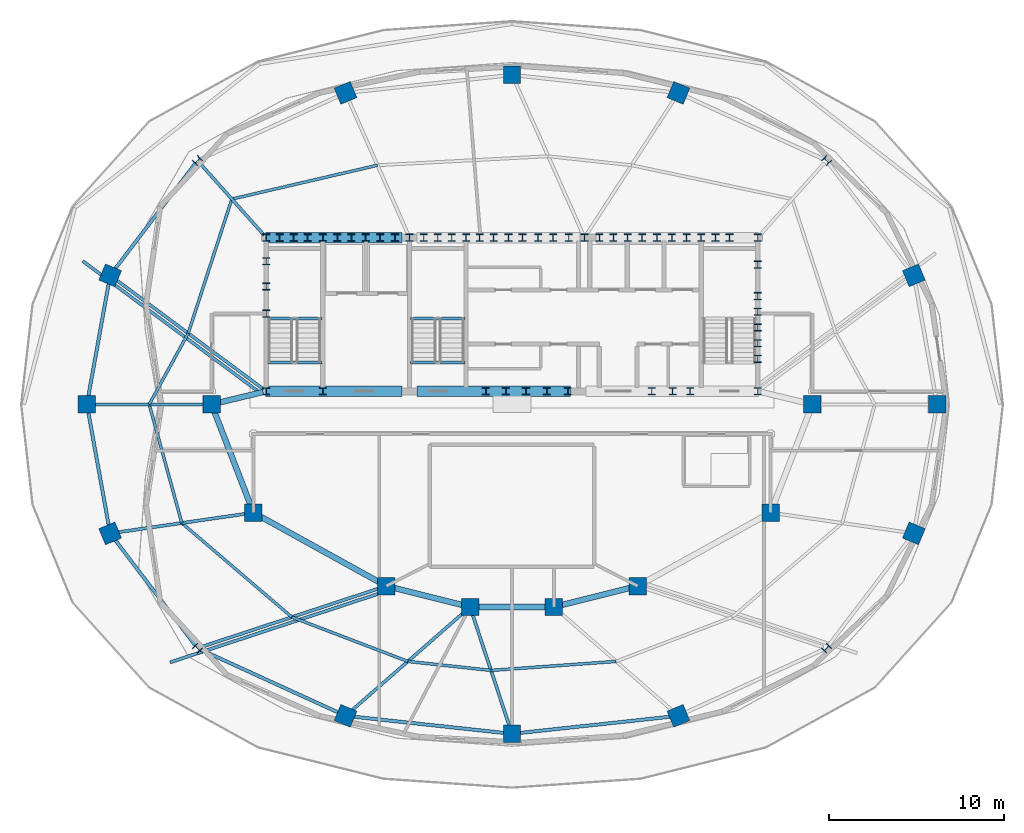
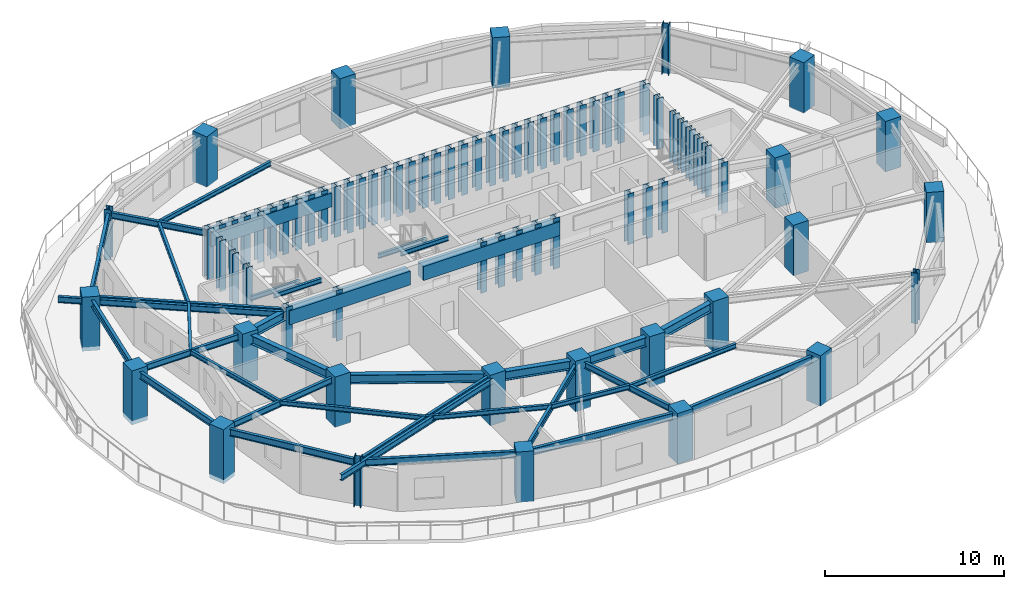
# One storey, part 1 of 10: 78 columns, 37 beams.
"""IFC4 building model written with IfcOpenShell, lengths in metres."""

import ifcopenshell
import ifcopenshell.guid

model = None  # the IFC model being written
_history = None  # IfcOwnerHistory: only IFC2X3 demands one
_inside = {}  # id of a spatial element -> (the spatial element, [elements in it])
_under = {}  # id of a project, library or spatial element -> (it, [spatial elements below it])
_declared = {}  # id of a project -> (the project, [libraries it declares])
_typed = {}  # id of a type object -> (the type object, [elements of that type])
_made_of = {}  # id of a material, layer set ... -> (it, [elements and type objects made of it])


def new_model(schema):
    """Start an empty IFC model of exactly this schema.

    Asked for "IFC4X3", IfcOpenShell would pick the latest addendum, in which some entities
    have other attributes; the version numbers below select the first issue.
    IFC2X3 requires an IfcOwnerHistory on every rooted entity: one is made here for all.
    """
    global model, _history
    if schema == "IFC4X3":
        model = ifcopenshell.file(schema_version=(4, 3, 0, 0))
    else:
        model = ifcopenshell.file(schema=schema)
    _inside.clear()
    _under.clear()
    _declared.clear()
    _typed.clear()
    _made_of.clear()
    _history = None
    if model.schema == "IFC2X3":
        org = make("IfcOrganization", Name="unknown")
        user = make(
            "IfcPersonAndOrganization",
            ThePerson=make("IfcPerson", FamilyName="unknown"),
            TheOrganization=org,
        )
        app = make(
            "IfcApplication",
            ApplicationDeveloper=org,
            Version="unknown",
            ApplicationFullName="unknown",
            ApplicationIdentifier="unknown",
        )
        _history = make(
            "IfcOwnerHistory",
            OwningUser=user,
            OwningApplication=app,
            ChangeAction="ADDED",
            CreationDate=0,
        )
    return model


def make(cls, **values):
    """One entity of the class cls with the attributes given. An attribute that is None is left unset."""
    return model.create_entity(
        cls, **{name: value for name, value in values.items() if value is not None}
    )


def rooted(cls, **values):
    """An entity with a GlobalId (a new one), such as an element, a storey or a relation."""
    return make(cls, GlobalId=ifcopenshell.guid.new(), OwnerHistory=_history, **values)


def si_unit(unit_type, name, prefix=None):
    """IfcSIUnit, for example si_unit("LENGTHUNIT", "METRE", prefix="MILLI")."""
    return make("IfcSIUnit", UnitType=unit_type, Prefix=prefix, Name=name)


def assignment(units):
    """IfcUnitAssignment: the units of a project."""
    return None if units is None else make("IfcUnitAssignment", Units=units)


def point(xyz):
    """IfcCartesianPoint."""
    return None if xyz is None else make("IfcCartesianPoint", Coordinates=xyz)


def direction(xyz):
    """IfcDirection."""
    return None if xyz is None else make("IfcDirection", DirectionRatios=xyz)


def frame(location, z_axis=None, x_axis=None):
    """IfcAxis2Placement3D, a coordinate frame: its origin and axes. An axis left out is left unset."""
    return make(
        "IfcAxis2Placement3D",
        Location=point(location),
        Axis=direction(z_axis),
        RefDirection=direction(x_axis),
    )


def frame_2d(location, x_axis=None):
    """IfcAxis2Placement2D, a coordinate frame in the plane: its origin and x axis."""
    return make(
        "IfcAxis2Placement2D", Location=point(location), RefDirection=direction(x_axis)
    )


def origin():
    """The frame at (0, 0, 0) with its axes left unset."""
    return frame((0.0, 0.0, 0.0))


def origin_2d():
    """The frame at (0, 0) in the plane with its x axis left unset."""
    return frame_2d((0.0, 0.0))


def place(relative_to, where):
    """IfcLocalPlacement: puts the frame where relative to a parent placement (None: the world)."""
    return make(
        "IfcLocalPlacement", PlacementRelTo=relative_to, RelativePlacement=where
    )


def context(
    kind, dimensions, precision=None, world=None, true_north=None, identifier=None
):
    """IfcGeometricRepresentationContext, for example the 3D "Model" context."""
    return make(
        "IfcGeometricRepresentationContext",
        ContextIdentifier=identifier,
        ContextType=kind,
        CoordinateSpaceDimension=dimensions,
        Precision=precision,
        WorldCoordinateSystem=world,
        TrueNorth=true_north,
    )


def subcontext(parent, identifier, kind, view, scale=None):
    """IfcGeometricRepresentationSubContext, for example "Body" below "Model"."""
    return make(
        "IfcGeometricRepresentationSubContext",
        ContextIdentifier=identifier,
        ContextType=kind,
        ParentContext=parent,
        TargetScale=scale,
        TargetView=view,
    )


def project(units=None, contexts=None):
    """IfcProject with its units and contexts."""
    return rooted(
        "IfcProject",
        Name="project",
        RepresentationContexts=contexts,
        UnitsInContext=assignment(units),
    )


def spatial(cls, under=None, at=None, **own):
    """A site, building, storey or space (cls), placed at a placement, below another one or the project."""
    s = rooted(cls, ObjectPlacement=at, **own)
    if under is not None:
        _under.setdefault(under.id(), (under, []))[1].append(s)
    return s


def profile(cls, at=None, kind="AREA", **sizes):
    """A parametric profile (cls). Its sizes go by their IFC names, for example OverallWidth=200.0."""
    return make(cls, ProfileType=kind, Position=at, **sizes)


def rectangle(**sizes):
    """IfcRectangleProfileDef."""
    return profile("IfcRectangleProfileDef", **sizes)


def i_section(**sizes):
    """IfcIShapeProfileDef."""
    return profile("IfcIShapeProfileDef", **sizes)


def extrude(swept, where, along, depth):
    """IfcExtrudedAreaSolid: the profile swept, set in the frame where, extruded along a direction by depth."""
    return make(
        "IfcExtrudedAreaSolid",
        SweptArea=swept,
        Position=where,
        ExtrudedDirection=direction(along),
        Depth=depth,
    )


def shape(context_of_items, identifier, shape_type, items):
    """IfcShapeRepresentation: the items that make up one representation, for example the "Body"."""
    return make(
        "IfcShapeRepresentation",
        ContextOfItems=context_of_items,
        RepresentationIdentifier=identifier,
        RepresentationType=shape_type,
        Items=items,
    )


def material(Name=None, Category=None):
    """IfcMaterial."""
    return make("IfcMaterial", Name=Name, Category=Category)


def material_profile(
    of_material, cross_section, Name=None, Category=None, Priority=None
):
    """IfcMaterialProfile: a cross section and its material."""
    return make(
        "IfcMaterialProfile",
        Name=Name,
        Material=of_material,
        Profile=cross_section,
        Priority=Priority,
        Category=Category,
    )


def profile_set(profiles, Name=None, composite=None):
    """IfcMaterialProfileSet."""
    return make(
        "IfcMaterialProfileSet",
        Name=Name,
        MaterialProfiles=profiles,
        CompositeProfile=composite,
    )


def made_of(thing, what):
    """Note that an element or type object is made of a material, layer set ...; save() writes the relation."""
    if what is not None:
        _made_of.setdefault(what.id(), (what, []))[1].append(thing)
    return thing


def type_object(cls, material=None, **own):
    """A type object (cls), such as IfcWallType, which elements share."""
    return made_of(rooted(cls, **own), material)


def element(
    cls,
    number,
    at=None,
    inside=None,
    cuts=None,
    type_object=None,
    material=None,
    context=None,
    identifier="Body",
    shape_type=None,
    held_by="IfcProductDefinitionShape",
    body=None,
    shapes=None,
    **own,
):
    """One element of the class cls, such as IfcWall. Its Tag is "e" and its number.

    at: its placement. inside: the storey or other place that contains it. cuts: it is an
    opening in that element (IfcRelVoidsElement). A single representation is given by context,
    identifier, shape_type and body (its items); several are given by shapes. held_by: the class
    of the entity that holds the representations. save() writes the other relations.
    """
    e = rooted(cls, Tag="e%d" % number, ObjectPlacement=at, **own)
    if body is not None:
        shapes = [shape(context, identifier, shape_type, body)]
    if shapes is not None:
        e.Representation = make(held_by, Representations=shapes)
    if inside is not None:
        _inside.setdefault(inside.id(), (inside, []))[1].append(e)
    if cuts is not None:
        rooted(
            "IfcRelVoidsElement", RelatingBuildingElement=cuts, RelatedOpeningElement=e
        )
    if type_object is not None:
        _typed.setdefault(type_object.id(), (type_object, []))[1].append(e)
    return made_of(e, material)


def aggregate(whole, parts):
    """IfcRelAggregates: a whole, such as a stair, and the parts it consists of."""
    return rooted("IfcRelAggregates", RelatingObject=whole, RelatedObjects=parts)


def save(model, path):
    """Write the relations noted so far, then the file.

    IfcRelAggregates (storeys below a building ...), IfcRelContainedInSpatialStructure (elements
    in a storey), IfcRelDefinesByType, IfcRelAssociatesMaterial and IfcRelDeclares: one each for
    every whole, place, type object, material and project.
    """
    for whole, parts in _under.values():
        aggregate(whole, parts)
    for where, things in _inside.values():
        rooted(
            "IfcRelContainedInSpatialStructure",
            RelatedElements=things,
            RelatingStructure=where,
        )
    for kind, things in _typed.values():
        rooted("IfcRelDefinesByType", RelatedObjects=things, RelatingType=kind)
    for what, things in _made_of.values():
        rooted("IfcRelAssociatesMaterial", RelatedObjects=things, RelatingMaterial=what)
    for by, libraries in _declared.values():
        rooted("IfcRelDeclares", RelatingContext=by, RelatedDefinitions=libraries)
    model.write(path)


model = new_model("IFC4")

# Units and contexts
model_context = context("Model", 3, precision=1e-05, world=origin(), true_north=direction((0.0, 1.0)))
body_context = subcontext(model_context, "Body", "Model", "MODEL_VIEW")
ifc_project = project(units=[si_unit("LENGTHUNIT", "METRE"), si_unit("AREAUNIT", "SQUARE_METRE"), si_unit("VOLUMEUNIT", "CUBIC_METRE"), si_unit("PLANEANGLEUNIT", "RADIAN"), si_unit("MASSUNIT", "GRAM", prefix="KILO")], contexts=[model_context])

# Site, building, storey
site_placement = place(None, origin())
site = spatial("IfcSite", under=ifc_project, at=site_placement, CompositionType="ELEMENT")
building_placement = place(site_placement, origin())
building = spatial("IfcBuilding", under=site, at=building_placement, Name="Haldorwick Loom Tower", CompositionType="ELEMENT")
storey_placement = place(building_placement, frame((0.0, 0.0, 240.89990234375)))
storey = spatial("IfcBuildingStorey", under=building, at=storey_placement, Name="L65", CompositionType="ELEMENT", Elevation=240.89990234375)

# Columns
ifc_material_1 = material(Name="Concrete C60 (60 MPa)", Category="concrete")
ifc_material_profile_1 = material_profile(ifc_material_1, rectangle(XDim=1.0, YDim=1.0, at=origin_2d()), Name="RC1000X1000", Category="concrete")
ifc_profile_set_1 = profile_set([ifc_material_profile_1], Name="Concrete C60 (60 MPa)")
column_type_1 = type_object("IfcColumnType", Name="STR-COL-RC1000", PredefinedType="COLUMN", material=ifc_profile_set_1)
for number, where, z_axis, x_axis, name in (
    (1, (53.199951171875, 26.0, 0.0), (0.0, 0.0, 1.0), (1.0, 0.0, 0.0), "L65 Inner Column IC-01"),
    (2, (50.800048828125, 19.800048828125, 0.0), (0.0, 0.0, 1.0), (1.0, 0.0, 0.0), "L65 Inner Column IC-02"),
    (3, (43.199951171875, 15.60009765625, 0.0), (0.0, 0.0, 1.0), (1.0, 0.0, 0.0), "L65 Inner Column IC-03"),
    (4, (38.39990234375, 14.39990234375, 0.0), (0.0, 0.0, 1.0), (1.0, 0.0, 0.0), "L65 Inner Column IC-04"),
    (5, (33.60009765625, 14.39990234375, 0.0), (0.0, 0.0, 1.0), (1.0, 0.0, 0.0), "L65 Inner Column IC-05"),
    (6, (28.800048828125, 15.60009765625, 0.0), (0.0, 0.0, 1.0), (1.0, 0.0, 0.0), "L65 Inner Column IC-06"),
    (7, (21.199951171875, 19.800048828125, 0.0), (0.0, 0.0, 1.0), (1.0, 0.0, 0.0), "L65 Inner Column IC-07"),
    (8, (18.800048828125, 26.0, 0.0), (0.0, 0.0, 1.0), (1.0, 0.0, 0.0), "L65 Inner Column IC-08"),
    (9, (60.3369140625, 26.0, 0.0), (0.0, 0.0, 1.0), (1.0, 0.0, 0.0), "L65 Perimeter Pier Column P01"),
    (10, (59.004638671875, 33.3857421875, 0.0), (0.0, 0.0, 1.0), (0.923879532511, 0.382683432365, 0.0), "L65 Perimeter Pier Column P02"),
    (11, (45.52880859375, 43.830810546875, 0.0), (0.0, 0.0, 1.0), (0.382683432365, 0.923879532511, 0.0), "L65 Perimeter Pier Column P04"),
    (12, (36.0, 44.860107421875, 0.0), (0.0, 0.0, 1.0), (0.0, 1.0, 0.0), "L65 Perimeter Pier Column P05"),
    (13, (26.47119140625, 43.830810546875, 0.0), (0.0, 0.0, 1.0), (-0.382683432365, 0.923879532511, 0.0), "L65 Perimeter Pier Column P06"),
):
    element("IfcColumn", number, at=place(storey_placement, frame(where, z_axis=z_axis, x_axis=x_axis)), inside=storey, type_object=column_type_1, Name=name, PredefinedType="COLUMN", context=body_context, shape_type="SweptSolid", body=[
        extrude(rectangle(XDim=1.0, YDim=1.0, at=origin_2d()), origin(), (0.0, 0.0, 1.0), 3.4501953125),
    ])
for number, where, z_axis, x_axis, name in (
    (14, (12.995361328125, 33.3857421875, -0.239990234375), (0.0, 0.0, 1.0), (-0.923879532511, 0.382683432365, 0.0), "L65 Perimeter Pier Column P08"),
    (15, (11.6630859375, 26.0, -0.239990234375), (0.0, 0.0, 1.0), (-1.0, 0.0, 0.0), "L65 Perimeter Pier Column P09"),
    (16, (12.995361328125, 18.6142578125, -0.239990234375), (0.0, 0.0, 1.0), (-0.923879532511, -0.382683432365, 0.0), "L65 Perimeter Pier Column P10"),
):
    element("IfcColumn", number, at=place(storey_placement, frame(where, z_axis=z_axis, x_axis=x_axis)), inside=storey, type_object=column_type_1, Name=name, PredefinedType="COLUMN", context=body_context, shape_type="SweptSolid", body=[
        extrude(rectangle(XDim=1.0, YDim=1.0, at=origin_2d()), origin(), (0.0, 0.0, 1.0), 3.690185546875),
    ])
for number, where, z_axis, x_axis, name in (
    (17, (26.47119140625, 8.169189453125, 0.0), (0.0, 0.0, 1.0), (-0.382683432365, -0.923879532511, 0.0), "L65 Perimeter Pier Column P12"),
    (18, (36.0, 7.139892578125, 0.0), (0.0, 0.0, 1.0), (0.0, -1.0, 0.0), "L65 Perimeter Pier Column P13"),
    (19, (45.52880859375, 8.169189453125, 0.0), (0.0, 0.0, 1.0), (0.382683432365, -0.923879532511, 0.0), "L65 Perimeter Pier Column P14"),
    (20, (59.004638671875, 18.6142578125, 0.0), (0.0, 0.0, 1.0), (0.923879532511, -0.382683432365, 0.0), "L65 Perimeter Pier Column P16"),
):
    element("IfcColumn", number, at=place(storey_placement, frame(where, z_axis=z_axis, x_axis=x_axis)), inside=storey, type_object=column_type_1, Name=name, PredefinedType="COLUMN", context=body_context, shape_type="SweptSolid", body=[
        extrude(rectangle(XDim=1.0, YDim=1.0, at=origin_2d()), origin(), (0.0, 0.0, 1.0), 3.4501953125),
    ])
ifc_material_2 = material(Name="Steel CSA G40.21 350W", Category="steel")
ifc_material_profile_2 = material_profile(ifc_material_2, i_section(OverallWidth=0.406005859375, OverallDepth=0.416015625, WebThickness=0.024169921875, FlangeThickness=0.03857421875, at=origin_2d()), Name="W360X382", Category="steel")
ifc_profile_set_2 = profile_set([ifc_material_profile_2], Name="Steel CSA G40.21 350W")
column_type_2 = type_object("IfcColumnType", Name="STR-COL-W360X382", PredefinedType="COLUMN", material=ifc_profile_set_2)
for number, where, z_axis, x_axis, name in (
    (21, (21.929931640625, 35.550048828125, 0.0), (0.0, 0.0, 1.0), (1.0, 0.0, 0.0), "L65 Core Pilaster CB-01"),
    (22, (23.5, 35.550048828125, 0.0), (0.0, 0.0, 1.0), (1.0, 0.0, 0.0), "L65 Core Pilaster CB-02"),
    (23, (25.169921875, 35.550048828125, 0.0), (0.0, 0.0, 1.0), (1.0, 0.0, 0.0), "L65 Core Pilaster CB-03"),
    (24, (26.800048828125, 35.550048828125, 0.0), (0.0, 0.0, 1.0), (1.0, 0.0, 0.0), "L65 Core Pilaster CB-04"),
    (25, (28.449951171875, 35.550048828125, 0.0), (0.0, 0.0, 1.0), (1.0, 0.0, 0.0), "L65 Core Pilaster CB-05"),
    (26, (30.1298828125, 35.550048828125, 0.0), (0.0, 0.0, 1.0), (1.0, 0.0, 0.0), "L65 Core Pilaster CB-06"),
    (27, (31.75, 35.550048828125, 0.0), (0.0, 0.0, 1.0), (1.0, 0.0, 0.0), "L65 Core Pilaster CB-07"),
    (28, (33.3701171875, 35.550048828125, 0.0), (0.0, 0.0, 1.0), (1.0, 0.0, 0.0), "L65 Core Pilaster CB-08"),
    (29, (34.949951171875, 35.550048828125, 0.0), (0.0, 0.0, 1.0), (1.0, 0.0, 0.0), "L65 Core Pilaster CB-09"),
    (30, (36.60009765625, 35.550048828125, 0.0), (0.0, 0.0, 1.0), (1.0, 0.0, 0.0), "L65 Core Pilaster CB-10"),
    (31, (38.35009765625, 35.550048828125, 0.0), (0.0, 0.0, 1.0), (1.0, 0.0, 0.0), "L65 Core Pilaster CB-11"),
    (32, (40.14990234375, 35.550048828125, 0.0), (0.0, 0.0, 1.0), (1.0, 0.0, 0.0), "L65 Core Pilaster CB-12"),
    (33, (41.800048828125, 35.550048828125, 0.0), (0.0, 0.0, 1.0), (1.0, 0.0, 0.0), "L65 Core Pilaster CB-13"),
    (34, (43.449951171875, 35.550048828125, 0.0), (0.0, 0.0, 1.0), (1.0, 0.0, 0.0), "L65 Core Pilaster CB-14"),
    (35, (45.14990234375, 35.550048828125, 0.0), (0.0, 0.0, 1.0), (1.0, 0.0, 0.0), "L65 Core Pilaster CB-15"),
    (36, (46.830078125, 35.550048828125, 0.0), (0.0, 0.0, 1.0), (1.0, 0.0, 0.0), "L65 Core Pilaster CB-16"),
    (37, (48.449951171875, 35.550048828125, 0.0), (0.0, 0.0, 1.0), (1.0, 0.0, 0.0), "L65 Core Pilaster CB-17"),
    (38, (50.070068359375, 35.550048828125, 0.0), (0.0, 0.0, 1.0), (1.0, 0.0, 0.0), "L65 Core Pilaster CB-18"),
    (39, (21.929931640625, 26.75, 0.0), (0.0, 0.0, 1.0), (1.0, 0.0, 0.0), "L65 Core Pilaster CB-19"),
    (40, (25.169921875, 26.75, 0.0), (0.0, 0.0, 1.0), (1.0, 0.0, 0.0), "L65 Core Pilaster CB-20"),
    (41, (34.5, 26.75, 0.0), (0.0, 0.0, 1.0), (1.0, 0.0, 0.0), "L65 Core Pilaster CB-21"),
    (42, (36.800048828125, 26.75, 0.0), (0.0, 0.0, 1.0), (1.0, 0.0, 0.0), "L65 Core Pilaster CB-22"),
    (43, (39.199951171875, 26.75, 0.0), (0.0, 0.0, 1.0), (1.0, 0.0, 0.0), "L65 Core Pilaster CB-23"),
    (44, (45.199951171875, 26.75, 0.0), (0.0, 0.0, 1.0), (1.0, 0.0, 0.0), "L65 Core Pilaster CB-24"),
    (45, (50.070068359375, 26.75, 0.0), (0.0, 0.0, 1.0), (1.0, 0.0, 0.0), "L65 Core Pilaster CB-25"),
    (46, (21.929931640625, 31.199951171875, 0.0), (0.0, 0.0, 1.0), (1.0, 0.0, 0.0), "L65 Core Pilaster CB-26"),
    (47, (21.929931640625, 32.75, 0.0), (0.0, 0.0, 1.0), (1.0, 0.0, 0.0), "L65 Core Pilaster CB-27"),
    (48, (21.929931640625, 34.199951171875, 0.0), (0.0, 0.0, 1.0), (1.0, 0.0, 0.0), "L65 Core Pilaster CB-28"),
    (49, (50.070068359375, 28.60009765625, 0.0), (0.0, 0.0, 1.0), (1.0, 0.0, 0.0), "L65 Core Pilaster CB-29"),
    (50, (50.070068359375, 30.39990234375, 0.0), (0.0, 0.0, 1.0), (1.0, 0.0, 0.0), "L65 Core Pilaster CB-30"),
    (51, (50.070068359375, 32.199951171875, 0.0), (0.0, 0.0, 1.0), (1.0, 0.0, 0.0), "L65 Core Pilaster CB-31"),
    (52, (50.070068359375, 34.0, 0.0), (0.0, 0.0, 1.0), (1.0, 0.0, 0.0), "L65 Core Pilaster CB-32"),
    (53, (22.699951171875, 35.550048828125, 0.0), (0.0, 0.0, 1.0), (1.0, 0.0, 0.0), "L65 Core Pilaster CB-33"),
    (54, (27.6201171875, 35.550048828125, 0.0), (0.0, 0.0, 1.0), (1.0, 0.0, 0.0), "L65 Core Pilaster CB-34"),
    (55, (32.550048828125, 35.550048828125, 0.0), (0.0, 0.0, 1.0), (1.0, 0.0, 0.0), "L65 Core Pilaster CB-35"),
    (56, (37.5, 35.550048828125, 0.0), (0.0, 0.0, 1.0), (1.0, 0.0, 0.0), "L65 Core Pilaster CB-36"),
    (57, (42.6201171875, 35.550048828125, 0.0), (0.0, 0.0, 1.0), (1.0, 0.0, 0.0), "L65 Core Pilaster CB-37"),
    (58, (47.64990234375, 35.550048828125, 0.0), (0.0, 0.0, 1.0), (1.0, 0.0, 0.0), "L65 Core Pilaster CB-38"),
    (59, (24.300048828125, 35.550048828125, 0.0), (0.0, 0.0, 1.0), (1.0, 0.0, 0.0), "L65 Core Pilaster CB-39"),
    (60, (26.0, 35.550048828125, 0.0), (0.0, 0.0, 1.0), (1.0, 0.0, 0.0), "L65 Core Pilaster CB-40"),
    (61, (29.300048828125, 35.550048828125, 0.0), (0.0, 0.0, 1.0), (1.0, 0.0, 0.0), "L65 Core Pilaster CB-41"),
    (62, (30.949951171875, 35.550048828125, 0.0), (0.0, 0.0, 1.0), (1.0, 0.0, 0.0), "L65 Core Pilaster CB-42"),
    (63, (34.14990234375, 35.550048828125, 0.0), (0.0, 0.0, 1.0), (1.0, 0.0, 0.0), "L65 Core Pilaster CB-43"),
    (64, (35.800048828125, 35.550048828125, 0.0), (0.0, 0.0, 1.0), (1.0, 0.0, 0.0), "L65 Core Pilaster CB-44"),
    (65, (39.25, 35.550048828125, 0.0), (0.0, 0.0, 1.0), (1.0, 0.0, 0.0), "L65 Core Pilaster CB-45"),
    (66, (41.0, 35.550048828125, 0.0), (0.0, 0.0, 1.0), (1.0, 0.0, 0.0), "L65 Core Pilaster CB-46"),
    (67, (44.300048828125, 35.550048828125, 0.0), (0.0, 0.0, 1.0), (1.0, 0.0, 0.0), "L65 Core Pilaster CB-47"),
    (68, (46.0, 35.550048828125, 0.0), (0.0, 0.0, 1.0), (1.0, 0.0, 0.0), "L65 Core Pilaster CB-48"),
    (69, (50.070068359375, 29.5, 0.0), (0.0, 0.0, 1.0), (1.0, 0.0, 0.0), "L65 Core Pilaster CB-49"),
    (70, (50.070068359375, 31.300048828125, 0.0), (0.0, 0.0, 1.0), (1.0, 0.0, 0.0), "L65 Core Pilaster CB-50"),
    (71, (35.64990234375, 26.75, 0.0), (0.0, 0.0, 1.0), (1.0, 0.0, 0.0), "L65 Core Pilaster CB-51"),
    (72, (38.0, 26.75, 0.0), (0.0, 0.0, 1.0), (1.0, 0.0, 0.0), "L65 Core Pilaster CB-52"),
    (73, (44.0, 26.75, 0.0), (0.0, 0.0, 1.0), (1.0, 0.0, 0.0), "L65 Core Pilaster CB-53"),
    (74, (46.199951171875, 26.75, 0.0), (0.0, 0.0, 1.0), (1.0, 0.0, 0.0), "L65 Core Pilaster CB-54"),
    (75, (54.005126953125, 39.958251953125, 0.0), (0.0, 0.0, 1.0), (0.707106781187, 0.707106781187, 0.0), "L65 Perimeter Pier Column P03"),
    (76, (17.994873046875, 39.958251953125, 0.0), (0.0, 0.0, 1.0), (-0.707106781187, 0.707106781187, 0.0), "L65 Perimeter Pier Column P07"),
    (77, (17.994873046875, 12.041748046875, 0.0), (0.0, 0.0, 1.0), (-0.707106781187, -0.707106781187, 0.0), "L65 Perimeter Pier Column P11"),
    (78, (54.005126953125, 12.041748046875, 0.0), (0.0, 0.0, 1.0), (0.707106781187, -0.707106781187, 0.0), "L65 Perimeter Pier Column P15"),
):
    element("IfcColumn", number, at=place(storey_placement, frame(where, z_axis=z_axis, x_axis=x_axis)), inside=storey, type_object=column_type_2, Name=name, PredefinedType="COLUMN", context=body_context, shape_type="SweptSolid", body=[
        extrude(i_section(OverallWidth=0.406005859375, OverallDepth=0.416015625, WebThickness=0.024169921875, FlangeThickness=0.03857421875, at=origin_2d()), origin(), (0.0, 0.0, 1.0), 3.4501953125),
    ])

# Beams
ifc_material_profile_3 = material_profile(ifc_material_2, i_section(OverallWidth=0.179931640625, OverallDepth=0.4130859375, WebThickness=0.009765625, FlangeThickness=0.01611328125, at=origin_2d()), Name="W410X74", Category="steel")
ifc_profile_set_3 = profile_set([ifc_material_profile_3], Name="Steel CSA G40.21 350W")
beam_type_1 = type_object("IfcBeamType", Name="STR-BM-BAL410", PredefinedType="BEAM", material=ifc_profile_set_3)
beam_1_placement = place(storey_placement, frame((28.436279296875, 15.185546875, 3.003662109375), z_axis=(-0.949817650067, -0.312804142589, 0.0), x_axis=(0.312804142589, -0.949817650067, 0.0)))
element("IfcBeam", 79, at=beam_1_placement, inside=storey, type_object=beam_type_1, Name="L65 Continuous Back-Spanned Balcony Beam 2", PredefinedType="BEAM", context=body_context, shape_type="SweptSolid", body=[
    extrude(i_section(OverallWidth=0.179931640625, OverallDepth=0.4130859375, WebThickness=0.009765625, FlangeThickness=0.01611328125, at=origin_2d()), origin(), (0.0, 0.0, 1.0), 12.65087890625),
])
beam_2_placement = place(storey_placement, frame((21.6201171875, 26.63134765625, 3.003662109375), z_axis=(-0.802802996116, 0.596244370562, 0.0), x_axis=(-0.596244370562, -0.802802996116, 0.0)))
element("IfcBeam", 80, at=beam_2_placement, inside=storey, type_object=beam_type_1, Name="L65 Continuous Back-Spanned Balcony Beam 3", PredefinedType="BEAM", context=body_context, shape_type="SweptSolid", body=[
    extrude(i_section(OverallWidth=0.179931640625, OverallDepth=0.4130859375, WebThickness=0.009765625, FlangeThickness=0.01611328125, at=origin_2d()), origin(), (0.0, 0.0, 1.0), 12.701171875),
])
ifc_material_3 = material(Name="Concrete C50 (50 MPa)", Category="concrete")
ifc_material_profile_4 = material_profile(ifc_material_3, rectangle(XDim=0.60009765625, YDim=0.949951171875, at=origin_2d()), Name="RC600X950", Category="concrete")
ifc_profile_set_4 = profile_set([ifc_material_profile_4], Name="Concrete C50 (50 MPa)")
beam_type_2 = type_object("IfcBeamType", Name="STR-BM-CB950", PredefinedType="LINTEL", material=ifc_profile_set_4)
for number, where, z_axis, x_axis, name in (
    (81, (21.89990234375, 35.550048828125, 2.735107421875), (1.0, 0.0, 0.0), (0.0, 1.0, 0.0), "L65 Core Coupling Beam CB-N1"),
    (82, (21.89990234375, 26.75, 2.735107421875), (1.0, 0.0, 0.0), (0.0, 1.0, 0.0), "L65 Core Coupling Beam CB-S1"),
):
    element("IfcBeam", number, at=place(storey_placement, frame(where, z_axis=z_axis, x_axis=x_axis)), inside=storey, type_object=beam_type_2, Name=name, PredefinedType="LINTEL", context=body_context, shape_type="SweptSolid", body=[
        extrude(rectangle(XDim=0.60009765625, YDim=0.949951171875, at=origin_2d()), origin(), (0.0, 0.0, 1.0), 7.800048828125),
    ])
beam_3_placement = place(storey_placement, frame((30.550048828125, 26.75, 2.735107421875), z_axis=(1.0, 0.0, 0.0), x_axis=(0.0, 1.0, 0.0)))
element("IfcBeam", 83, at=beam_3_placement, inside=storey, type_object=beam_type_2, Name="L65 Core Coupling Beam CB-S2", PredefinedType="LINTEL", context=body_context, shape_type="SweptSolid", body=[
    extrude(rectangle(XDim=0.60009765625, YDim=0.949951171875, at=origin_2d()), origin(), (0.0, 0.0, 1.0), 8.800048828125),
])
ifc_material_profile_5 = material_profile(ifc_material_2, i_section(OverallWidth=0.166015625, OverallDepth=0.31298828125, WebThickness=0.006591796875, FlangeThickness=0.01123046875, at=origin_2d()), Name="W310X45", Category="steel")
ifc_profile_set_5 = profile_set([ifc_material_profile_5], Name="Steel CSA G40.21 350W")
beam_type_3 = type_object("IfcBeamType", Name="STR-BM-J310", PredefinedType="JOIST", material=ifc_profile_set_5)
beam_4_placement = place(storey_placement, frame((28.300537109375, 39.6904296875, 3.0537109375), z_axis=(-0.974080706337, -0.226200746112, 0.0), x_axis=(0.226200746112, -0.974080706337, 0.0)))
element("IfcBeam", 84, at=beam_4_placement, inside=storey, type_object=beam_type_3, Name="L65 Mid-Bay Secondary Joist 6", PredefinedType="JOIST", context=body_context, shape_type="SweptSolid", body=[
    extrude(i_section(OverallWidth=0.166015625, OverallDepth=0.31298828125, WebThickness=0.006591796875, FlangeThickness=0.01123046875, at=origin_2d()), origin(), (0.0, 0.0, 1.0), 8.56005859375),
])
beam_5_placement = place(storey_placement, frame((19.96240234375, 37.754150390625, 3.0537109375), z_axis=(-0.309277990337, -0.95097167397, 0.0), x_axis=(0.95097167397, -0.309277990337, 0.0)))
element("IfcBeam", 85, at=beam_5_placement, inside=storey, type_object=beam_type_3, Name="L65 Mid-Bay Secondary Joist 7", PredefinedType="JOIST", context=body_context, shape_type="SweptSolid", body=[
    extrude(i_section(OverallWidth=0.166015625, OverallDepth=0.31298828125, WebThickness=0.006591796875, FlangeThickness=0.01123046875, at=origin_2d()), origin(), (0.0, 0.0, 1.0), 8.08251953125),
])
beam_6_placement = place(storey_placement, frame((17.462646484375, 30.06787109375, 3.0537109375), z_axis=(-0.480863931781, -0.876795232145, 0.0), x_axis=(0.876795232145, -0.480863931781, 0.0)))
element("IfcBeam", 86, at=beam_6_placement, inside=storey, type_object=beam_type_3, Name="L65 Mid-Bay Secondary Joist 8", PredefinedType="JOIST", context=body_context, shape_type="SweptSolid", body=[
    extrude(i_section(OverallWidth=0.166015625, OverallDepth=0.31298828125, WebThickness=0.006591796875, FlangeThickness=0.01123046875, at=origin_2d()), origin(), (0.0, 0.0, 1.0), 4.639404296875),
])
beam_7_placement = place(storey_placement, frame((15.231689453125, 26.0, 3.0537109375), z_axis=(0.264879381431, -0.964281552915, 0.0), x_axis=(0.964281552915, 0.264879381431, 0.0)))
element("IfcBeam", 87, at=beam_7_placement, inside=storey, type_object=beam_type_3, Name="L65 Mid-Bay Secondary Joist 9", PredefinedType="JOIST", context=body_context, shape_type="SweptSolid", body=[
    extrude(i_section(OverallWidth=0.166015625, OverallDepth=0.31298828125, WebThickness=0.006591796875, FlangeThickness=0.01123046875, at=origin_2d()), origin(), (0.0, 0.0, 1.0), 7.044677734375),
])
beam_8_placement = place(storey_placement, frame((17.09765625, 19.20703125, 3.0537109375), z_axis=(0.760066902561, -0.649844830426, 0.0), x_axis=(0.649844830426, 0.760066902561, 0.0)))
element("IfcBeam", 88, at=beam_8_placement, inside=storey, type_object=beam_type_3, Name="L65 Mid-Bay Secondary Joist 10", PredefinedType="JOIST", context=body_context, shape_type="SweptSolid", body=[
    extrude(i_section(OverallWidth=0.166015625, OverallDepth=0.31298828125, WebThickness=0.006591796875, FlangeThickness=0.01123046875, at=origin_2d()), origin(), (0.0, 0.0, 1.0), 8.28857421875),
])
beam_9_placement = place(storey_placement, frame((23.3974609375, 13.82080078125, 3.0537109375), z_axis=(0.934134056558, -0.356922350628, 0.0), x_axis=(0.356922350628, 0.934134056558, 0.0)))
element("IfcBeam", 89, at=beam_9_placement, inside=storey, type_object=beam_type_3, Name="L65 Mid-Bay Secondary Joist 11", PredefinedType="JOIST", context=body_context, shape_type="SweptSolid", body=[
    extrude(i_section(OverallWidth=0.166015625, OverallDepth=0.31298828125, WebThickness=0.006591796875, FlangeThickness=0.01123046875, at=origin_2d()), origin(), (0.0, 0.0, 1.0), 7.106201171875),
])
beam_10_placement = place(storey_placement, frame((30.03564453125, 11.284423828125, 3.0537109375), z_axis=(0.994221899005, -0.107344378232, 0.0), x_axis=(0.107344378232, 0.994221899005, 0.0)))
element("IfcBeam", 90, at=beam_10_placement, inside=storey, type_object=beam_type_3, Name="L65 Mid-Bay Secondary Joist 12", PredefinedType="JOIST", context=body_context, shape_type="SweptSolid", body=[
    extrude(i_section(OverallWidth=0.166015625, OverallDepth=0.31298828125, WebThickness=0.006591796875, FlangeThickness=0.01123046875, at=origin_2d()), origin(), (0.0, 0.0, 1.0), 4.7919921875),
])
beam_11_placement = place(storey_placement, frame((34.800048828125, 10.77001953125, 3.0537109375), z_axis=(0.997432233153, 0.071616620046, 0.0), x_axis=(-0.071616620046, 0.997432233153, 0.0)))
element("IfcBeam", 91, at=beam_11_placement, inside=storey, type_object=beam_type_3, Name="L65 Mid-Bay Secondary Joist 13", PredefinedType="JOIST", context=body_context, shape_type="SweptSolid", body=[
    extrude(i_section(OverallWidth=0.166015625, OverallDepth=0.31298828125, WebThickness=0.006591796875, FlangeThickness=0.01123046875, at=origin_2d()), origin(), (0.0, 0.0, 1.0), 7.182861328125),
])
ifc_material_profile_6 = material_profile(ifc_material_2, i_section(OverallWidth=0.179931640625, OverallDepth=0.4130859375, WebThickness=0.009765625, FlangeThickness=0.01611328125, at=origin_2d()), Name="W410X74", Category="steel")
ifc_profile_set_6 = profile_set([ifc_material_profile_6], Name="Steel CSA G40.21 350W")
beam_type_4 = type_object("IfcBeamType", Name="STR-BM-J410", PredefinedType="JOIST", material=ifc_profile_set_6)
beam_12_placement = place(storey_placement, frame((21.8115234375, 35.682861328125, 3.003662109375), z_axis=(-0.665966842703, 0.745981343212, 0.0), x_axis=(-0.745981343212, -0.665966842703, 0.0)))
element("IfcBeam", 92, at=beam_12_placement, inside=storey, type_object=beam_type_4, Name="L65 Radial Floor Girder 7", PredefinedType="JOIST", context=body_context, shape_type="SweptSolid", body=[
    extrude(i_section(OverallWidth=0.179931640625, OverallDepth=0.4130859375, WebThickness=0.009765625, FlangeThickness=0.01611328125, at=origin_2d()), origin(), (0.0, 0.0, 1.0), 5.55322265625),
])
beam_13_placement = place(storey_placement, frame((21.787109375, 26.856201171875, 3.003662109375), z_axis=(-0.802807271117, 0.596238614518, 0.0), x_axis=(-0.596238614518, -0.802807271117, 0.0)))
element("IfcBeam", 93, at=beam_13_placement, inside=storey, type_object=beam_type_4, Name="L65 Radial Floor Girder 8", PredefinedType="JOIST", context=body_context, shape_type="SweptSolid", body=[
    extrude(i_section(OverallWidth=0.179931640625, OverallDepth=0.4130859375, WebThickness=0.009765625, FlangeThickness=0.01611328125, at=origin_2d()), origin(), (0.0, 0.0, 1.0), 10.476318359375),
])
beam_14_placement = place(storey_placement, frame((18.324951171875, 26.0, 3.003662109375), z_axis=(-1.0, 0.0, 0.0), x_axis=(0.0, -1.0, 0.0)))
element("IfcBeam", 94, at=beam_14_placement, inside=storey, type_object=beam_type_4, Name="L65 Radial Floor Girder 9", PredefinedType="JOIST", context=body_context, shape_type="SweptSolid", body=[
    extrude(i_section(OverallWidth=0.179931640625, OverallDepth=0.4130859375, WebThickness=0.009765625, FlangeThickness=0.01611328125, at=origin_2d()), origin(), (0.0, 0.0, 1.0), 6.186767578125),
])
beam_15_placement = place(storey_placement, frame((20.72998046875, 19.732177734375, 3.003662109375), z_axis=(-0.989713971376, -0.143060318968, 0.0), x_axis=(0.143060318968, -0.989713971376, 0.0)))
element("IfcBeam", 95, at=beam_15_placement, inside=storey, type_object=beam_type_4, Name="L65 Radial Floor Girder 10", PredefinedType="JOIST", context=body_context, shape_type="SweptSolid", body=[
    extrude(i_section(OverallWidth=0.179931640625, OverallDepth=0.4130859375, WebThickness=0.009765625, FlangeThickness=0.01611328125, at=origin_2d()), origin(), (0.0, 0.0, 1.0), 7.33984375),
])
beam_16_placement = place(storey_placement, frame((28.348876953125, 15.451416015625, 3.003662109375), z_axis=(-0.94982454623, -0.312783201882, 0.0), x_axis=(0.312783201882, -0.94982454623, 0.0)))
element("IfcBeam", 96, at=beam_16_placement, inside=storey, type_object=beam_type_4, Name="L65 Radial Floor Girder 11", PredefinedType="JOIST", context=body_context, shape_type="SweptSolid", body=[
    extrude(i_section(OverallWidth=0.179931640625, OverallDepth=0.4130859375, WebThickness=0.009765625, FlangeThickness=0.01611328125, at=origin_2d()), origin(), (0.0, 0.0, 1.0), 10.72314453125),
])
beam_17_placement = place(storey_placement, frame((33.242431640625, 14.08740234375, 3.003662109375), z_axis=(-0.752935231169, -0.65809462668, 0.0), x_axis=(0.65809462668, -0.752935231169, 0.0)))
element("IfcBeam", 97, at=beam_17_placement, inside=storey, type_object=beam_type_4, Name="L65 Radial Floor Girder 12", PredefinedType="JOIST", context=body_context, shape_type="SweptSolid", body=[
    extrude(i_section(OverallWidth=0.179931640625, OverallDepth=0.4130859375, WebThickness=0.009765625, FlangeThickness=0.01611328125, at=origin_2d()), origin(), (0.0, 0.0, 1.0), 8.51806640625),
])
beam_18_placement = place(storey_placement, frame((33.7490234375, 13.948974609375, 3.003662109375), z_axis=(0.31387519153, -0.949464251113, 0.0), x_axis=(0.949464251113, 0.31387519153, 0.0)))
element("IfcBeam", 98, at=beam_18_placement, inside=storey, type_object=beam_type_4, Name="L65 Radial Floor Girder 13", PredefinedType="JOIST", context=body_context, shape_type="SweptSolid", body=[
    extrude(i_section(OverallWidth=0.179931640625, OverallDepth=0.4130859375, WebThickness=0.009765625, FlangeThickness=0.01611328125, at=origin_2d()), origin(), (0.0, 0.0, 1.0), 6.6962890625),
])
ifc_material_profile_7 = material_profile(ifc_material_2, i_section(OverallWidth=0.193115234375, OverallDepth=0.466064453125, WebThickness=0.011474609375, FlangeThickness=0.01904296875, at=origin_2d()), Name="W460X97", Category="steel")
ifc_profile_set_7 = profile_set([ifc_material_profile_7], Name="Steel CSA G40.21 350W")
beam_type_5 = type_object("IfcBeamType", Name="STR-BM-SP460", PredefinedType="SPANDREL", material=ifc_profile_set_7)
beam_19_placement = place(storey_placement, frame((17.886962890625, 39.816650390625, 2.97705078125), z_axis=(-0.605410439126, -0.795913437629, 0.0), x_axis=(0.795913437629, -0.605410439126, 0.0)))
element("IfcBeam", 99, at=beam_19_placement, inside=storey, type_object=beam_type_5, Name="L65 Perimeter Spandrel 7", PredefinedType="SPANDREL", context=body_context, shape_type="SweptSolid", body=[
    extrude(i_section(OverallWidth=0.193115234375, OverallDepth=0.466064453125, WebThickness=0.011474609375, FlangeThickness=0.01904296875, at=origin_2d()), origin(), (0.0, 0.0, 1.0), 7.604736328125),
])
for number, where, z_axis, x_axis, name in (
    (100, (12.9111328125, 32.918212890625, 2.97705078125), (-0.177515201984, -0.984118058499, 0.0), (0.984118058499, -0.177515201984, 0.0), "L65 Perimeter Spandrel 8"),
    (101, (11.74755859375, 25.532470703125, 2.97705078125), (0.177515201984, -0.984118058499, 0.0), (0.984118058499, 0.177515201984, 0.0), "L65 Perimeter Spandrel 9"),
):
    element("IfcBeam", number, at=place(storey_placement, frame(where, z_axis=z_axis, x_axis=x_axis)), inside=storey, type_object=beam_type_5, Name=name, PredefinedType="SPANDREL", context=body_context, shape_type="SweptSolid", body=[
        extrude(i_section(OverallWidth=0.193115234375, OverallDepth=0.466064453125, WebThickness=0.011474609375, FlangeThickness=0.01904296875, at=origin_2d()), origin(), (0.0, 0.0, 1.0), 6.5546875),
    ])
beam_20_placement = place(storey_placement, frame((13.282958984375, 18.236083984375, 2.97705078125), z_axis=(0.605410439126, -0.795913437629, 0.0), x_axis=(0.795913437629, 0.605410439126, 0.0)))
element("IfcBeam", 102, at=beam_20_placement, inside=storey, type_object=beam_type_5, Name="L65 Perimeter Spandrel 10", PredefinedType="SPANDREL", context=body_context, shape_type="SweptSolid", body=[
    extrude(i_section(OverallWidth=0.193115234375, OverallDepth=0.466064453125, WebThickness=0.011474609375, FlangeThickness=0.01904296875, at=origin_2d()), origin(), (0.0, 0.0, 1.0), 7.604736328125),
])
beam_21_placement = place(storey_placement, frame((18.15673828125, 11.9677734375, 2.97705078125), z_axis=(0.909567887863, -0.415555360172, 0.0), x_axis=(0.415555360172, 0.909567887863, 0.0)))
element("IfcBeam", 103, at=beam_21_placement, inside=storey, type_object=beam_type_5, Name="L65 Perimeter Spandrel 11", PredefinedType="SPANDREL", context=body_context, shape_type="SweptSolid", body=[
    extrude(i_section(OverallWidth=0.193115234375, OverallDepth=0.466064453125, WebThickness=0.011474609375, FlangeThickness=0.01904296875, at=origin_2d()), origin(), (0.0, 0.0, 1.0), 8.666259765625),
])
for number, where, z_axis, x_axis, name in (
    (104, (26.943603515625, 8.1181640625, 2.97705078125), (0.994216353781, -0.107395725588, 0.0), (0.107395725588, 0.994216353781, 0.0), "L65 Perimeter Spandrel 12"),
    (105, (36.472412109375, 7.19091796875, 2.97705078125), (0.994216353781, 0.107395725588, 0.0), (-0.107395725588, 0.994216353781, 0.0), "L65 Perimeter Spandrel 13"),
):
    element("IfcBeam", number, at=place(storey_placement, frame(where, z_axis=z_axis, x_axis=x_axis)), inside=storey, type_object=beam_type_5, Name=name, PredefinedType="SPANDREL", context=body_context, shape_type="SweptSolid", body=[
        extrude(i_section(OverallWidth=0.193115234375, OverallDepth=0.466064453125, WebThickness=0.011474609375, FlangeThickness=0.01904296875, at=origin_2d()), origin(), (0.0, 0.0, 1.0), 8.634033203125),
    ])
ifc_material_profile_8 = material_profile(ifc_material_2, i_section(OverallWidth=0.166015625, OverallDepth=0.31298828125, WebThickness=0.006591796875, FlangeThickness=0.01123046875, at=origin_2d()), Name="W310X45", Category="steel")
ifc_profile_set_8 = profile_set([ifc_material_profile_8], Name="Steel CSA G40.21 350W")
beam_type_6 = type_object("IfcBeamType", Name="STR-BM-STRM", PredefinedType="BEAM", material=ifc_profile_set_8)
for number, where, z_axis, x_axis, name in (
    (106, (21.989990234375, 28.39990234375, 3.0537109375), (1.0, 0.0, 0.0), (0.0, 1.0, 0.0), "L65 Stair ST-01 Landing Edge Trimmer"),
    (107, (21.989990234375, 30.919921875, 1.36865234375), (1.0, 0.0, 0.0), (0.0, 1.0, 0.0), "L65 Stair ST-01 Half-Landing Trimmer 1"),
    (108, (30.18994140625, 28.39990234375, 3.0537109375), (1.0, 0.0, 0.0), (0.0, 1.0, 0.0), "L65 Stair ST-03 Landing Edge Trimmer"),
    (109, (30.18994140625, 30.919921875, 1.36865234375), (1.0, 0.0, 0.0), (0.0, 1.0, 0.0), "L65 Stair ST-03 Half-Landing Trimmer 1"),
):
    element("IfcBeam", number, at=place(storey_placement, frame(where, z_axis=z_axis, x_axis=x_axis)), inside=storey, type_object=beam_type_6, Name=name, PredefinedType="BEAM", context=body_context, shape_type="SweptSolid", body=[
        extrude(i_section(OverallWidth=0.166015625, OverallDepth=0.31298828125, WebThickness=0.006591796875, FlangeThickness=0.01123046875, at=origin_2d()), origin(), (0.0, 0.0, 1.0), 3.1201171875),
    ])
ifc_material_profile_9 = material_profile(ifc_material_2, i_section(OverallWidth=0.324951171875, OverallDepth=0.615966796875, WebThickness=0.013916015625, FlangeThickness=0.021484375, at=origin_2d()), Name="W610X174", Category="steel")
ifc_profile_set_9 = profile_set([ifc_material_profile_9], Name="Steel CSA G40.21 350W")
beam_type_7 = type_object("IfcBeamType", Name="STR-BM-W610A", PredefinedType="BEAM", material=ifc_profile_set_9)
beam_22_placement = place(storey_placement, frame((42.7392578125, 15.48486328125, 2.902099609375), z_axis=(-0.970135315182, -0.242564363081, 0.0), x_axis=(0.242564363081, -0.970135315182, 0.0)))
element("IfcBeam", 110, at=beam_22_placement, inside=storey, type_object=beam_type_7, Name="L65 Inner Ring Girder 4", PredefinedType="BEAM", context=body_context, shape_type="SweptSolid", body=[
    extrude(i_section(OverallWidth=0.324951171875, OverallDepth=0.615966796875, WebThickness=0.013916015625, FlangeThickness=0.021484375, at=origin_2d()), origin(), (0.0, 0.0, 1.0), 3.997802734375),
])
beam_23_placement = place(storey_placement, frame((37.925048828125, 14.39990234375, 2.902099609375), z_axis=(-1.0, 0.0, 0.0), x_axis=(0.0, -1.0, 0.0)))
element("IfcBeam", 111, at=beam_23_placement, inside=storey, type_object=beam_type_7, Name="L65 Inner Ring Girder 5", PredefinedType="BEAM", context=body_context, shape_type="SweptSolid", body=[
    extrude(i_section(OverallWidth=0.324951171875, OverallDepth=0.615966796875, WebThickness=0.013916015625, FlangeThickness=0.021484375, at=origin_2d()), origin(), (0.0, 0.0, 1.0), 3.85009765625),
])
beam_24_placement = place(storey_placement, frame((33.13916015625, 14.51513671875, 2.902099609375), z_axis=(-0.970135315182, 0.242564363081, 0.0), x_axis=(-0.242564363081, -0.970135315182, 0.0)))
element("IfcBeam", 112, at=beam_24_placement, inside=storey, type_object=beam_type_7, Name="L65 Inner Ring Girder 6", PredefinedType="BEAM", context=body_context, shape_type="SweptSolid", body=[
    extrude(i_section(OverallWidth=0.324951171875, OverallDepth=0.615966796875, WebThickness=0.013916015625, FlangeThickness=0.021484375, at=origin_2d()), origin(), (0.0, 0.0, 1.0), 3.997802734375),
])
beam_25_placement = place(storey_placement, frame((28.38427734375, 15.829833984375, 2.902099609375), z_axis=(-0.875243645673, 0.483682293152, 0.0), x_axis=(-0.483682293152, -0.875243645673, 0.0)))
element("IfcBeam", 113, at=beam_25_placement, inside=storey, type_object=beam_type_7, Name="L65 Inner Ring Girder 7", PredefinedType="BEAM", context=body_context, shape_type="SweptSolid", body=[
    extrude(i_section(OverallWidth=0.324951171875, OverallDepth=0.615966796875, WebThickness=0.013916015625, FlangeThickness=0.021484375, at=origin_2d()), origin(), (0.0, 0.0, 1.0), 7.7333984375),
])
beam_26_placement = place(storey_placement, frame((21.028564453125, 20.242919921875, 2.902099609375), z_axis=(-0.36101093026, 0.93256158415, 0.0), x_axis=(-0.93256158415, -0.36101093026, 0.0)))
element("IfcBeam", 114, at=beam_26_placement, inside=storey, type_object=beam_type_7, Name="L65 Inner Ring Girder 8", PredefinedType="BEAM", context=body_context, shape_type="SweptSolid", body=[
    extrude(i_section(OverallWidth=0.324951171875, OverallDepth=0.615966796875, WebThickness=0.013916015625, FlangeThickness=0.021484375, at=origin_2d()), origin(), (0.0, 0.0, 1.0), 5.6982421875),
])
beam_27_placement = place(storey_placement, frame((19.261962890625, 26.110595703125, 2.902099609375), z_axis=(0.972464127734, 0.233052612665, 0.0), x_axis=(-0.233052612665, 0.972464127734, 0.0)))
element("IfcBeam", 115, at=beam_27_placement, inside=storey, type_object=beam_type_7, Name="L65 Inner Ring Girder 9", PredefinedType="BEAM", context=body_context, shape_type="SweptSolid", body=[
    extrude(i_section(OverallWidth=0.324951171875, OverallDepth=0.615966796875, WebThickness=0.013916015625, FlangeThickness=0.021484375, at=origin_2d()), origin(), (0.0, 0.0, 1.0), 2.5654296875),
])

save(model, "model.ifc")
